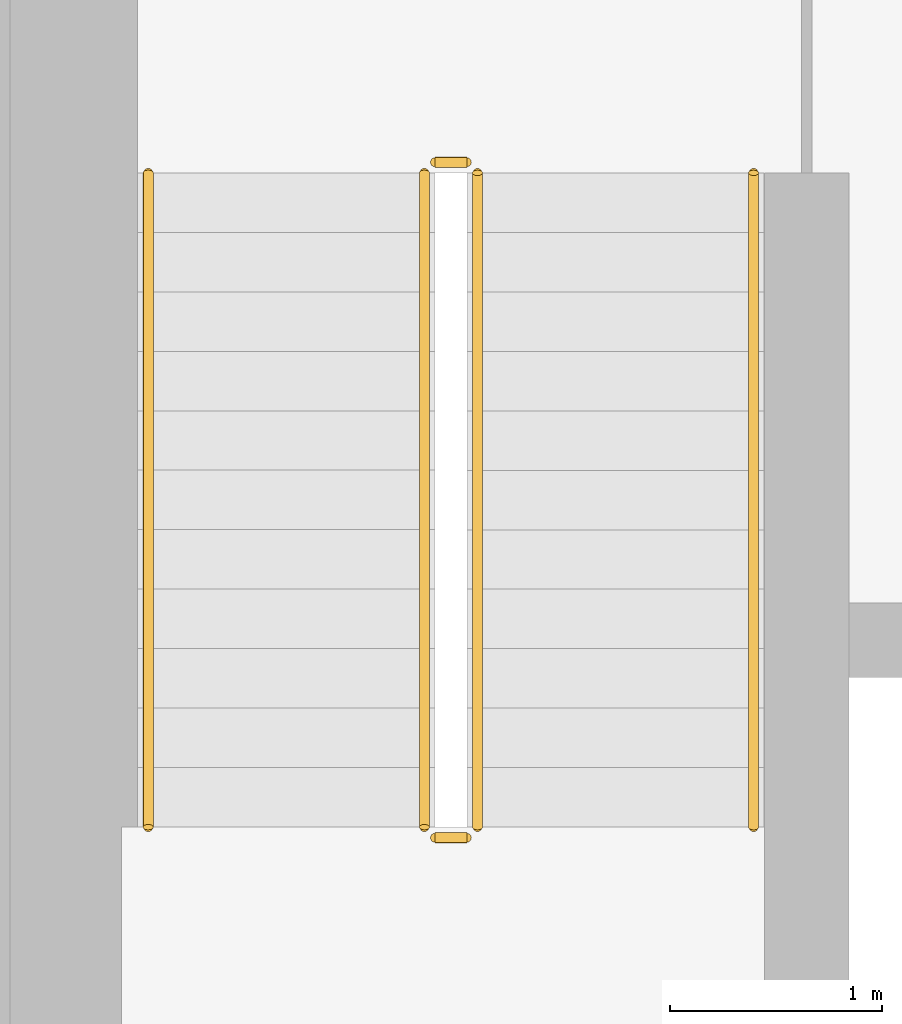
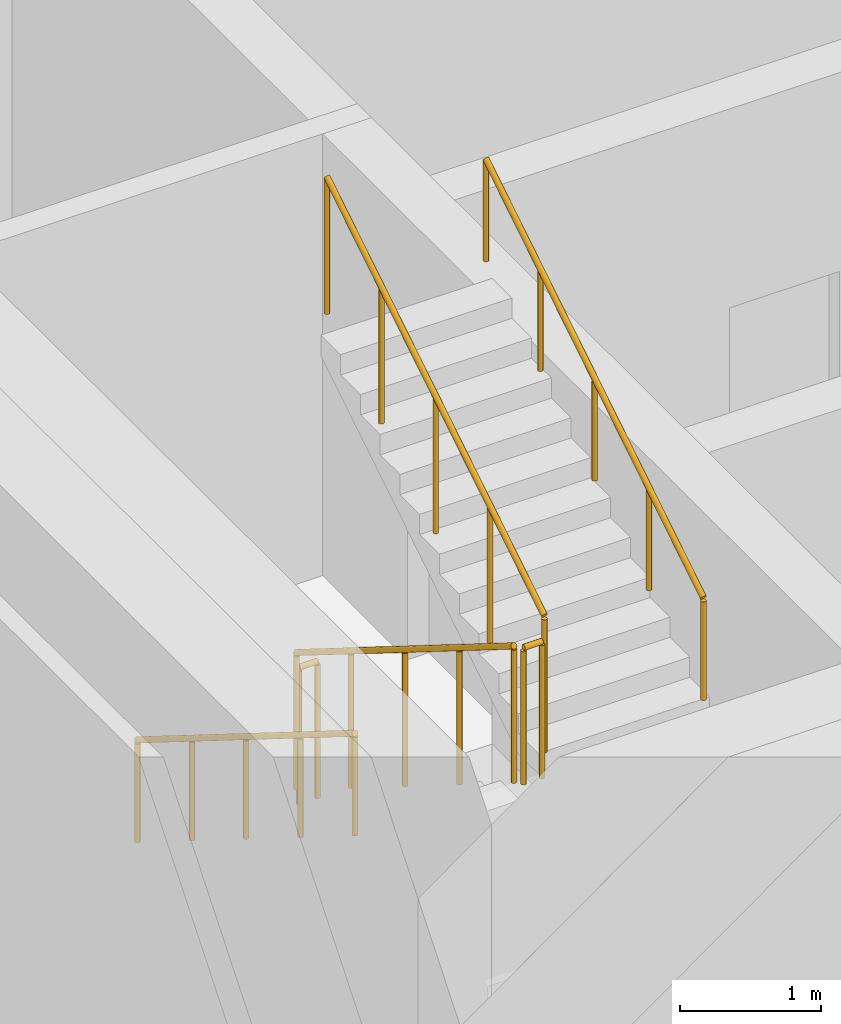
# One storey, part 19 of 24: 6 railings.
"""IFC4 building model written with IfcOpenShell, lengths in metres."""

import ifcopenshell
import ifcopenshell.guid

model = None  # the IFC model being written
_history = None  # IfcOwnerHistory: only IFC2X3 demands one
_inside = {}  # id of a spatial element -> (the spatial element, [elements in it])
_under = {}  # id of a project, library or spatial element -> (it, [spatial elements below it])
_declared = {}  # id of a project -> (the project, [libraries it declares])
_typed = {}  # id of a type object -> (the type object, [elements of that type])
_made_of = {}  # id of a material, layer set ... -> (it, [elements and type objects made of it])


def new_model(schema):
    """Start an empty IFC model of exactly this schema.

    Asked for "IFC4X3", IfcOpenShell would pick the latest addendum, in which some entities
    have other attributes; the version numbers below select the first issue.
    IFC2X3 requires an IfcOwnerHistory on every rooted entity: one is made here for all.
    """
    global model, _history
    if schema == "IFC4X3":
        model = ifcopenshell.file(schema_version=(4, 3, 0, 0))
    else:
        model = ifcopenshell.file(schema=schema)
    _inside.clear()
    _under.clear()
    _declared.clear()
    _typed.clear()
    _made_of.clear()
    _history = None
    if model.schema == "IFC2X3":
        org = make("IfcOrganization", Name="unknown")
        user = make(
            "IfcPersonAndOrganization",
            ThePerson=make("IfcPerson", FamilyName="unknown"),
            TheOrganization=org,
        )
        app = make(
            "IfcApplication",
            ApplicationDeveloper=org,
            Version="unknown",
            ApplicationFullName="unknown",
            ApplicationIdentifier="unknown",
        )
        _history = make(
            "IfcOwnerHistory",
            OwningUser=user,
            OwningApplication=app,
            ChangeAction="ADDED",
            CreationDate=0,
        )
    return model


def make(cls, **values):
    """One entity of the class cls with the attributes given. An attribute that is None is left unset."""
    return model.create_entity(
        cls, **{name: value for name, value in values.items() if value is not None}
    )


def rooted(cls, **values):
    """An entity with a GlobalId (a new one), such as an element, a storey or a relation."""
    return make(cls, GlobalId=ifcopenshell.guid.new(), OwnerHistory=_history, **values)


def si_unit(unit_type, name, prefix=None):
    """IfcSIUnit, for example si_unit("LENGTHUNIT", "METRE", prefix="MILLI")."""
    return make("IfcSIUnit", UnitType=unit_type, Prefix=prefix, Name=name)


def assignment(units):
    """IfcUnitAssignment: the units of a project."""
    return None if units is None else make("IfcUnitAssignment", Units=units)


def point(xyz):
    """IfcCartesianPoint."""
    return None if xyz is None else make("IfcCartesianPoint", Coordinates=xyz)


def direction(xyz):
    """IfcDirection."""
    return None if xyz is None else make("IfcDirection", DirectionRatios=xyz)


def frame(location, z_axis=None, x_axis=None):
    """IfcAxis2Placement3D, a coordinate frame: its origin and axes. An axis left out is left unset."""
    return make(
        "IfcAxis2Placement3D",
        Location=point(location),
        Axis=direction(z_axis),
        RefDirection=direction(x_axis),
    )


def frame_2d(location, x_axis=None):
    """IfcAxis2Placement2D, a coordinate frame in the plane: its origin and x axis."""
    return make(
        "IfcAxis2Placement2D", Location=point(location), RefDirection=direction(x_axis)
    )


def origin():
    """The frame at (0, 0, 0) with its axes left unset."""
    return frame((0.0, 0.0, 0.0))


def origin_2d():
    """The frame at (0, 0) in the plane with its x axis left unset."""
    return frame_2d((0.0, 0.0))


def place(relative_to, where):
    """IfcLocalPlacement: puts the frame where relative to a parent placement (None: the world)."""
    return make(
        "IfcLocalPlacement", PlacementRelTo=relative_to, RelativePlacement=where
    )


def context(
    kind, dimensions, precision=None, world=None, true_north=None, identifier=None
):
    """IfcGeometricRepresentationContext, for example the 3D "Model" context."""
    return make(
        "IfcGeometricRepresentationContext",
        ContextIdentifier=identifier,
        ContextType=kind,
        CoordinateSpaceDimension=dimensions,
        Precision=precision,
        WorldCoordinateSystem=world,
        TrueNorth=true_north,
    )


def subcontext(parent, identifier, kind, view, scale=None):
    """IfcGeometricRepresentationSubContext, for example "Body" below "Model"."""
    return make(
        "IfcGeometricRepresentationSubContext",
        ContextIdentifier=identifier,
        ContextType=kind,
        ParentContext=parent,
        TargetScale=scale,
        TargetView=view,
    )


def project(units=None, contexts=None):
    """IfcProject with its units and contexts."""
    return rooted(
        "IfcProject",
        Name="project",
        RepresentationContexts=contexts,
        UnitsInContext=assignment(units),
    )


def spatial(cls, under=None, at=None, **own):
    """A site, building, storey or space (cls), placed at a placement, below another one or the project."""
    s = rooted(cls, ObjectPlacement=at, **own)
    if under is not None:
        _under.setdefault(under.id(), (under, []))[1].append(s)
    return s


def profile(cls, at=None, kind="AREA", **sizes):
    """A parametric profile (cls). Its sizes go by their IFC names, for example OverallWidth=200.0."""
    return make(cls, ProfileType=kind, Position=at, **sizes)


def circle(**sizes):
    """IfcCircleProfileDef."""
    return profile("IfcCircleProfileDef", **sizes)


def extrude(swept, where, along, depth):
    """IfcExtrudedAreaSolid: the profile swept, set in the frame where, extruded along a direction by depth."""
    return make(
        "IfcExtrudedAreaSolid",
        SweptArea=swept,
        Position=where,
        ExtrudedDirection=direction(along),
        Depth=depth,
    )


def shape(context_of_items, identifier, shape_type, items):
    """IfcShapeRepresentation: the items that make up one representation, for example the "Body"."""
    return make(
        "IfcShapeRepresentation",
        ContextOfItems=context_of_items,
        RepresentationIdentifier=identifier,
        RepresentationType=shape_type,
        Items=items,
    )


def material(Name=None, Category=None):
    """IfcMaterial."""
    return make("IfcMaterial", Name=Name, Category=Category)


def made_of(thing, what):
    """Note that an element or type object is made of a material, layer set ...; save() writes the relation."""
    if what is not None:
        _made_of.setdefault(what.id(), (what, []))[1].append(thing)
    return thing


def type_object(cls, material=None, **own):
    """A type object (cls), such as IfcWallType, which elements share."""
    return made_of(rooted(cls, **own), material)


def element(
    cls,
    number,
    at=None,
    inside=None,
    cuts=None,
    type_object=None,
    material=None,
    context=None,
    identifier="Body",
    shape_type=None,
    held_by="IfcProductDefinitionShape",
    body=None,
    shapes=None,
    **own,
):
    """One element of the class cls, such as IfcWall. Its Tag is "e" and its number.

    at: its placement. inside: the storey or other place that contains it. cuts: it is an
    opening in that element (IfcRelVoidsElement). A single representation is given by context,
    identifier, shape_type and body (its items); several are given by shapes. held_by: the class
    of the entity that holds the representations. save() writes the other relations.
    """
    e = rooted(cls, Tag="e%d" % number, ObjectPlacement=at, **own)
    if body is not None:
        shapes = [shape(context, identifier, shape_type, body)]
    if shapes is not None:
        e.Representation = make(held_by, Representations=shapes)
    if inside is not None:
        _inside.setdefault(inside.id(), (inside, []))[1].append(e)
    if cuts is not None:
        rooted(
            "IfcRelVoidsElement", RelatingBuildingElement=cuts, RelatedOpeningElement=e
        )
    if type_object is not None:
        _typed.setdefault(type_object.id(), (type_object, []))[1].append(e)
    return made_of(e, material)


def aggregate(whole, parts):
    """IfcRelAggregates: a whole, such as a stair, and the parts it consists of."""
    return rooted("IfcRelAggregates", RelatingObject=whole, RelatedObjects=parts)


def save(model, path):
    """Write the relations noted so far, then the file.

    IfcRelAggregates (storeys below a building ...), IfcRelContainedInSpatialStructure (elements
    in a storey), IfcRelDefinesByType, IfcRelAssociatesMaterial and IfcRelDeclares: one each for
    every whole, place, type object, material and project.
    """
    for whole, parts in _under.values():
        aggregate(whole, parts)
    for where, things in _inside.values():
        rooted(
            "IfcRelContainedInSpatialStructure",
            RelatedElements=things,
            RelatingStructure=where,
        )
    for kind, things in _typed.values():
        rooted("IfcRelDefinesByType", RelatedObjects=things, RelatingType=kind)
    for what, things in _made_of.values():
        rooted("IfcRelAssociatesMaterial", RelatedObjects=things, RelatingMaterial=what)
    for by, libraries in _declared.values():
        rooted("IfcRelDeclares", RelatingContext=by, RelatedDefinitions=libraries)
    model.write(path)


model = new_model("IFC4")

# Units and contexts
model_context = context("Model", 3, precision=1e-05, world=origin(), true_north=direction((0.0, 1.0)))
body_context = subcontext(model_context, "Body", "Model", "MODEL_VIEW")
ifc_project = project(units=[si_unit("LENGTHUNIT", "METRE"), si_unit("AREAUNIT", "SQUARE_METRE"), si_unit("VOLUMEUNIT", "CUBIC_METRE"), si_unit("PLANEANGLEUNIT", "RADIAN"), si_unit("MASSUNIT", "GRAM", prefix="KILO")], contexts=[model_context])

# Site, building, storey
site_placement = place(None, origin())
site = spatial("IfcSite", under=ifc_project, at=site_placement, CompositionType="ELEMENT")
building_placement = place(site_placement, origin())
building = spatial("IfcBuilding", under=site, at=building_placement, Name="Dongbaek Canopy Tower", CompositionType="ELEMENT")
storey_placement = place(building_placement, frame((0.0, 0.0, 344.60009765625)))
storey = spatial("IfcBuildingStorey", under=building, at=storey_placement, Name="L74", CompositionType="ELEMENT", Elevation=344.60009765625)

# Railings
ifc_material_1 = material(Name="Stainless steel tube and balusters", Category="steel")
railing_type_1 = type_object("IfcRailingType", Name="Stair guard 1200", PredefinedType="GUARDRAIL", material=ifc_material_1)
railing_1_placement = place(storey_placement, frame((-11.449951171875, -4.699951171875, 0.1748046875)))
element("IfcRailing", 1, at=railing_1_placement, inside=storey, type_object=railing_type_1, Name="L74 ST-D stair guard 1", PredefinedType="GUARDRAIL", context=body_context, shape_type="SweptSolid", body=[
    extrude(circle(Radius=0.02392578125, at=origin_2d()), frame((0.0, 0.0, 1.17578125), z_axis=(0.0, -0.847998304005, 0.529998940003), x_axis=(1.0, 0.0, 0.0)), (0.0, 0.0, 1.0), 3.632080078125),
    extrude(circle(Radius=0.02099609375, at=origin_2d()), origin(), (0.0, 0.0, 1.0), 1.15185546875),
    extrude(circle(Radius=0.02099609375, at=origin_2d()), frame((0.0, -0.77001953125, 0.481201171875)), (0.0, 0.0, 1.0), 1.15185546875),
    extrude(circle(Radius=0.02099609375, at=origin_2d()), frame((0.0, -1.5400390625, 0.96240234375)), (0.0, 0.0, 1.0), 1.15185546875),
    extrude(circle(Radius=0.02099609375, at=origin_2d()), frame((0.0, -2.31005859375, 1.44384765625)), (0.0, 0.0, 1.0), 1.15185546875),
    extrude(circle(Radius=0.02099609375, at=origin_2d()), frame((0.0, -3.080078125, 1.925048828125)), (0.0, 0.0, 1.0), 1.15185546875),
])
railing_2_placement = place(storey_placement, frame((-11.39990234375, -7.830078125, 2.099853515625)))
element("IfcRailing", 2, at=railing_2_placement, inside=storey, type_object=railing_type_1, Name="L74 ST-D stair guard 2", PredefinedType="GUARDRAIL", context=body_context, shape_type="SweptSolid", body=[
    extrude(circle(Radius=0.02392578125, at=origin_2d()), frame((0.0, 0.0, 1.17578125), z_axis=(1.0, 0.0, 0.0), x_axis=(0.0, 1.0, 0.0)), (0.0, 0.0, 1.0), 0.14990234375),
    extrude(circle(Radius=0.02099609375, at=origin_2d()), origin(), (0.0, 0.0, 1.0), 1.15185546875),
    extrude(circle(Radius=0.02099609375, at=origin_2d()), frame((0.14990234375, 0.0, 0.0)), (0.0, 0.0, 1.0), 1.15185546875),
])
railing_3_placement = place(storey_placement, frame((-11.199951171875, -7.780029296875, 2.27490234375)))
element("IfcRailing", 3, at=railing_3_placement, inside=storey, type_object=railing_type_1, Name="L74 ST-D stair guard 3", PredefinedType="GUARDRAIL", context=body_context, shape_type="SweptSolid", body=[
    extrude(circle(Radius=0.02392578125, at=origin_2d()), frame((0.0, 0.0, 1.17578125), z_axis=(0.0, 0.847998304005, 0.529998940003), x_axis=(-1.0, 0.0, 0.0)), (0.0, 0.0, 1.0), 3.632080078125),
    extrude(circle(Radius=0.02099609375, at=origin_2d()), origin(), (0.0, 0.0, 1.0), 1.15185546875),
    extrude(circle(Radius=0.02099609375, at=origin_2d()), frame((0.0, 0.77001953125, 0.481201171875)), (0.0, 0.0, 1.0), 1.15185546875),
    extrude(circle(Radius=0.02099609375, at=origin_2d()), frame((0.0, 1.5400390625, 0.96240234375)), (0.0, 0.0, 1.0), 1.15185546875),
    extrude(circle(Radius=0.02099609375, at=origin_2d()), frame((0.0, 2.31005859375, 1.44384765625)), (0.0, 0.0, 1.0), 1.15185546875),
    extrude(circle(Radius=0.02099609375, at=origin_2d()), frame((0.0, 3.080078125, 1.925048828125)), (0.0, 0.0, 1.0), 1.15185546875),
])
railing_4_placement = place(storey_placement, frame((-11.39990234375, -4.64990234375, 0.0)))
element("IfcRailing", 4, at=railing_4_placement, inside=storey, type_object=railing_type_1, Name="L74 ST-D stair guard 4", PredefinedType="GUARDRAIL", context=body_context, shape_type="SweptSolid", body=[
    extrude(circle(Radius=0.02392578125, at=origin_2d()), frame((0.0, 0.0, 1.17578125), z_axis=(1.0, 0.0, 0.0), x_axis=(0.0, 1.0, 0.0)), (0.0, 0.0, 1.0), 0.14990234375),
    extrude(circle(Radius=0.02099609375, at=origin_2d()), origin(), (0.0, 0.0, 1.0), 1.15185546875),
    extrude(circle(Radius=0.02099609375, at=origin_2d()), frame((0.14990234375, 0.0, 0.0)), (0.0, 0.0, 1.0), 1.15185546875),
])
ifc_material_2 = material(Name="Stainless steel tube", Category="steel")
railing_type_2 = type_object("IfcRailingType", Name="Stair handrail 900", PredefinedType="HANDRAIL", material=ifc_material_2)
railing_5_placement = place(storey_placement, frame((-12.75, -4.699951171875, 0.1748046875)))
element("IfcRailing", 5, at=railing_5_placement, inside=storey, type_object=railing_type_2, Name="L74 ST-D stair handrail 1", PredefinedType="HANDRAIL", context=body_context, shape_type="SweptSolid", body=[
    extrude(circle(Radius=0.02392578125, at=origin_2d()), frame((0.0, 0.0, 0.8759765625), z_axis=(0.0, -0.847998304005, 0.529998940003), x_axis=(1.0, 0.0, 0.0)), (0.0, 0.0, 1.0), 3.632080078125),
    extrude(circle(Radius=0.02099609375, at=origin_2d()), origin(), (0.0, 0.0, 1.0), 0.851806640625),
    extrude(circle(Radius=0.02099609375, at=origin_2d()), frame((0.0, -0.77001953125, 0.481201171875)), (0.0, 0.0, 1.0), 0.851806640625),
    extrude(circle(Radius=0.02099609375, at=origin_2d()), frame((0.0, -1.5400390625, 0.96240234375)), (0.0, 0.0, 1.0), 0.851806640625),
    extrude(circle(Radius=0.02099609375, at=origin_2d()), frame((0.0, -2.31005859375, 1.44384765625)), (0.0, 0.0, 1.0), 0.851806640625),
    extrude(circle(Radius=0.02099609375, at=origin_2d()), frame((0.0, -3.080078125, 1.925048828125)), (0.0, 0.0, 1.0), 0.851806640625),
])
railing_6_placement = place(storey_placement, frame((-9.89990234375, -7.780029296875, 2.27490234375)))
element("IfcRailing", 6, at=railing_6_placement, inside=storey, type_object=railing_type_2, Name="L74 ST-D stair handrail 2", PredefinedType="HANDRAIL", context=body_context, shape_type="SweptSolid", body=[
    extrude(circle(Radius=0.02392578125, at=origin_2d()), frame((0.0, 0.0, 0.8759765625), z_axis=(0.0, 0.847998304005, 0.529998940003), x_axis=(-1.0, 0.0, 0.0)), (0.0, 0.0, 1.0), 3.632080078125),
    extrude(circle(Radius=0.02099609375, at=origin_2d()), origin(), (0.0, 0.0, 1.0), 0.851806640625),
    extrude(circle(Radius=0.02099609375, at=origin_2d()), frame((0.0, 0.77001953125, 0.481201171875)), (0.0, 0.0, 1.0), 0.851806640625),
    extrude(circle(Radius=0.02099609375, at=origin_2d()), frame((0.0, 1.5400390625, 0.96240234375)), (0.0, 0.0, 1.0), 0.851806640625),
    extrude(circle(Radius=0.02099609375, at=origin_2d()), frame((0.0, 2.31005859375, 1.44384765625)), (0.0, 0.0, 1.0), 0.851806640625),
    extrude(circle(Radius=0.02099609375, at=origin_2d()), frame((0.0, 3.080078125, 1.925048828125)), (0.0, 0.0, 1.0), 0.851806640625),
])

save(model, "model.ifc")
